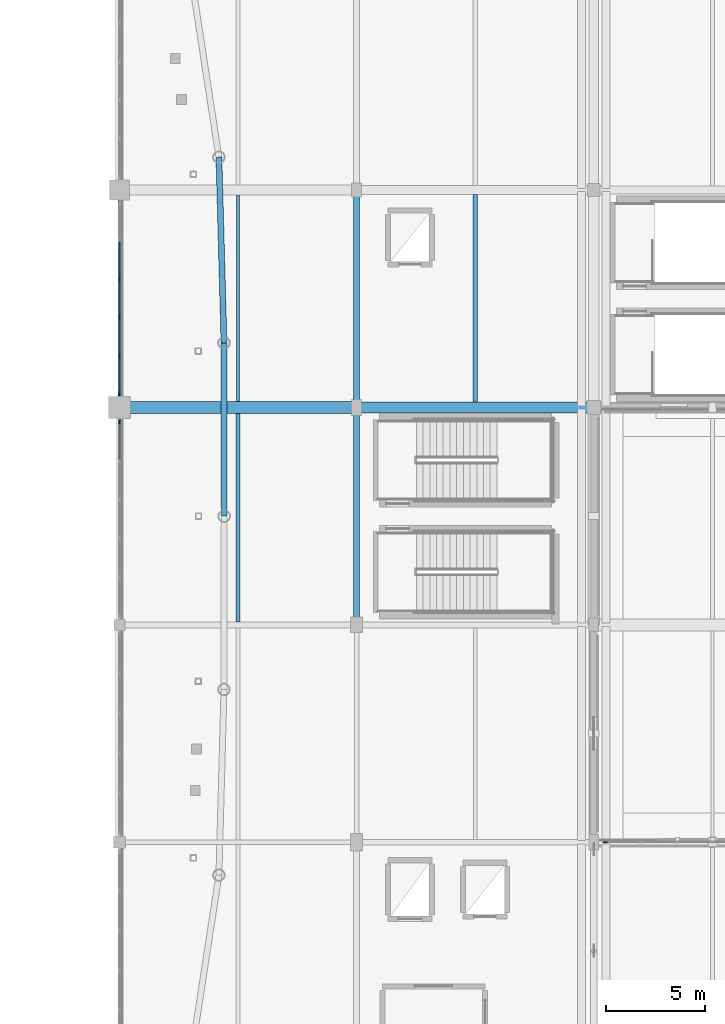
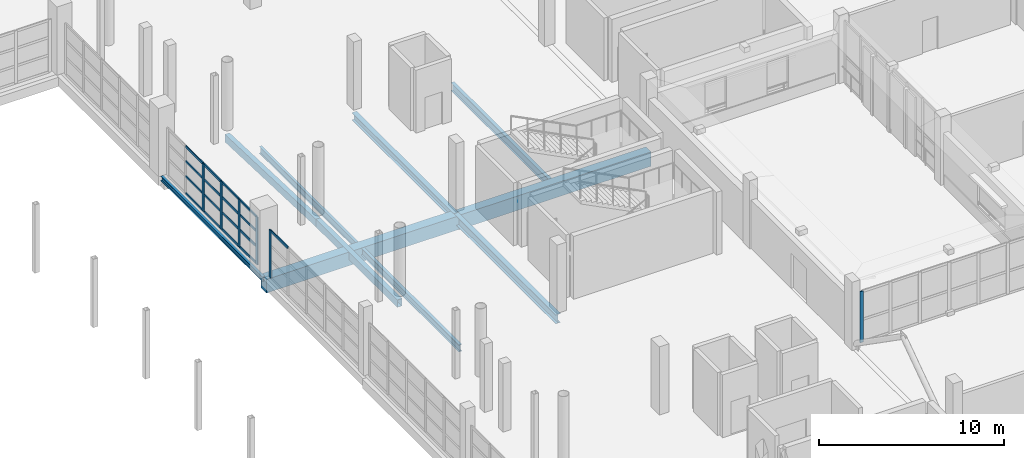
# One storey, part 55 of 118: 23 members, 10 beams, 3 elements without a shape of their own.
"""IFC4 building model written with IfcOpenShell, lengths in metres."""

from ifc_helpers import new_model, si_unit, direction, frame, origin, origin_2d, place, context, subcontext, project, spatial, rectangle, hollow_rectangle, i_section, extrude, material, material_profile, profile_set, type_object, element, aggregate, save


model = new_model("IFC4")

# Units and contexts
model_context = context("Model", 3, precision=1e-05, world=origin(), true_north=direction((0.0, 1.0)))
body_context = subcontext(model_context, "Body", "Model", "MODEL_VIEW")
ifc_project = project(units=[si_unit("LENGTHUNIT", "METRE"), si_unit("AREAUNIT", "SQUARE_METRE"), si_unit("VOLUMEUNIT", "CUBIC_METRE"), si_unit("PLANEANGLEUNIT", "RADIAN"), si_unit("MASSUNIT", "GRAM", prefix="KILO")], contexts=[model_context])

# Site, building, storey
site_placement = place(None, origin())
site = spatial("IfcSite", under=ifc_project, at=site_placement, CompositionType="ELEMENT")
building_placement = place(site_placement, origin())
building = spatial("IfcBuilding", under=site, at=building_placement, Name="Luwafu Chhajja Arena", CompositionType="ELEMENT")
storey_placement = place(building_placement, frame((0.0, 0.0, 10.199951171875)))
storey = spatial("IfcBuildingStorey", under=building, at=storey_placement, Name="L02", CompositionType="ELEMENT", Elevation=10.199951171875)

# Curtain wall, member
ifc_material_1 = material(Name="Anodised bronze aluminium", Category="aluminium")
curtain_wall_type = type_object("IfcCurtainWallType", Name="Hospitality Ring Curtain Wall", PredefinedType="USERDEFINED", material=ifc_material_1)
curtain_wall_1_placement = place(storey_placement, origin())
curtain_wall_1 = element("IfcCurtainWall", 1, at=curtain_wall_1_placement, inside=storey, type_object=curtain_wall_type, Name="L02 Curtain Wall CWG-L02-H14_03", ObjectType="CURTAIN WALL", PredefinedType="USERDEFINED")
ifc_material_profile_1 = material_profile(ifc_material_1, rectangle(XDim=0.06494140625, YDim=0.199951171875, at=origin_2d()), Name="CWM 65x200")
ifc_profile_set_1 = profile_set([ifc_material_profile_1], Name="Anodised bronze aluminium")
member_type_1 = type_object("IfcMemberType", Name="Bronze Curtain Wall Mullion 65x200", PredefinedType="MULLION", material=ifc_profile_set_1)
member_1_placement = place(storey_placement, frame((164.572509765625, 33.0, 0.030029296875), z_axis=(0.0, 0.0, 1.0), x_axis=(0.0, 1.0, 0.0)))
member_1 = element("IfcMember", 2, at=member_1_placement, type_object=member_type_1, Name="CW-02 mullion 1", PredefinedType="MULLION", context=body_context, shape_type="SweptSolid", body=[
    extrude(rectangle(XDim=0.06494140625, YDim=0.199951171875, at=origin_2d()), origin(), (0.0, 0.0, 1.0), 3.375),
])
aggregate(curtain_wall_1, [member_1])

curtain_wall_2_placement = place(storey_placement, origin())
curtain_wall_2 = element("IfcCurtainWall", 3, at=curtain_wall_2_placement, inside=storey, type_object=curtain_wall_type, Name="L02 Bowl Viewing Curtain Wall CWR-L02-22", ObjectType="CURTAIN WALL", PredefinedType="USERDEFINED")
member_2_placement = place(storey_placement, frame((140.0, 54.277587890625, 0.0), z_axis=(0.0, 0.0, 1.0), x_axis=(-1.0, 0.0, 0.0)))
member_2 = element("IfcMember", 4, at=member_2_placement, type_object=member_type_1, Name="CW-02 mullion 6", PredefinedType="MULLION", context=body_context, shape_type="SweptSolid", body=[
    extrude(rectangle(XDim=0.06494140625, YDim=0.199951171875, at=origin_2d()), origin(), (0.0, 0.0, 1.0), 3.14013671875),
])

# Curtain wall, members
curtain_wall_3_placement = place(storey_placement, origin())
curtain_wall_3 = element("IfcCurtainWall", 5, at=curtain_wall_3_placement, inside=storey, type_object=curtain_wall_type, Name="L02 Bowl Viewing Curtain Wall CWR-L02-23", ObjectType="CURTAIN WALL", PredefinedType="USERDEFINED")
member_3_placement = place(storey_placement, frame((140.0, 55.722412109375, 0.0), z_axis=(0.0, 0.0, 1.0), x_axis=(-1.0, 0.0, 0.0)))
member_3 = element("IfcMember", 6, at=member_3_placement, type_object=member_type_1, Name="CW-02 mullion 1", PredefinedType="MULLION", context=body_context, shape_type="SweptSolid", body=[
    extrude(rectangle(XDim=0.06494140625, YDim=0.199951171875, at=origin_2d()), origin(), (0.0, 0.0, 1.0), 3.14013671875),
])
member_4_placement = place(storey_placement, frame((140.0, 57.6240234375, 0.0), z_axis=(0.0, 0.0, 1.0), x_axis=(-1.0, 0.0, 0.0)))
member_4 = element("IfcMember", 7, at=member_4_placement, type_object=member_type_1, Name="CW-02 mullion 2", PredefinedType="MULLION", context=body_context, shape_type="SweptSolid", body=[
    extrude(rectangle(XDim=0.06494140625, YDim=0.199951171875, at=origin_2d()), origin(), (0.0, 0.0, 1.0), 3.14013671875),
])
member_5_placement = place(storey_placement, frame((140.0, 59.55810546875, 0.0), z_axis=(0.0, 0.0, 1.0), x_axis=(-1.0, 0.0, 0.0)))
member_5 = element("IfcMember", 8, at=member_5_placement, type_object=member_type_1, Name="CW-02 mullion 3", PredefinedType="MULLION", context=body_context, shape_type="SweptSolid", body=[
    extrude(rectangle(XDim=0.06494140625, YDim=0.199951171875, at=origin_2d()), origin(), (0.0, 0.0, 1.0), 3.14013671875),
])
member_6_placement = place(storey_placement, frame((140.0, 61.491943359375, 0.0), z_axis=(0.0, 0.0, 1.0), x_axis=(-1.0, 0.0, 0.0)))
member_6 = element("IfcMember", 9, at=member_6_placement, type_object=member_type_1, Name="CW-02 mullion 4", PredefinedType="MULLION", context=body_context, shape_type="SweptSolid", body=[
    extrude(rectangle(XDim=0.06494140625, YDim=0.199951171875, at=origin_2d()), origin(), (0.0, 0.0, 1.0), 3.14013671875),
])

# Member
ifc_material_profile_2 = material_profile(ifc_material_1, rectangle(XDim=0.06494140625, YDim=0.14990234375, at=origin_2d()), Name="CWT 65x150")
ifc_profile_set_2 = profile_set([ifc_material_profile_2], Name="Anodised bronze aluminium")
member_type_2 = type_object("IfcMemberType", Name="Bronze Curtain Wall Transom 65x150", PredefinedType="USERDEFINED", material=ifc_profile_set_2)
member_7_placement = place(storey_placement, frame((140.0, 52.363525390625, 3.107666015625), z_axis=(0.0, 1.0, 0.0), x_axis=(-1.0, 0.0, 0.0)))
member_7 = element("IfcMember", 10, at=member_7_placement, type_object=member_type_2, Name="CW-02 transom 5.4", ObjectType="TRANSOM", PredefinedType="USERDEFINED", context=body_context, shape_type="SweptSolid", body=[
    extrude(rectangle(XDim=0.06494140625, YDim=0.14990234375, at=origin_2d()), origin(), (0.0, 0.0, 1.0), 1.881591796875),
])

aggregate(curtain_wall_2, [member_2, member_7])

member_8_placement = place(storey_placement, frame((140.0, 55.7548828125, 0.032470703125), z_axis=(0.0, 1.0, 0.0), x_axis=(-1.0, 0.0, 0.0)))
member_8 = element("IfcMember", 11, at=member_8_placement, type_object=member_type_2, Name="CW-02 transom 1.1", ObjectType="TRANSOM", PredefinedType="USERDEFINED", context=body_context, shape_type="SweptSolid", body=[
    extrude(rectangle(XDim=0.06494140625, YDim=0.14990234375, at=origin_2d()), origin(), (0.0, 0.0, 1.0), 1.836669921875),
])

member_9_placement = place(storey_placement, frame((140.0, 55.7548828125, 1.150146484375), z_axis=(0.0, 1.0, 0.0), x_axis=(-1.0, 0.0, 0.0)))
member_9 = element("IfcMember", 12, at=member_9_placement, type_object=member_type_2, Name="CW-02 transom 1.2", ObjectType="TRANSOM", PredefinedType="USERDEFINED", context=body_context, shape_type="SweptSolid", body=[
    extrude(rectangle(XDim=0.06494140625, YDim=0.14990234375, at=origin_2d()), origin(), (0.0, 0.0, 1.0), 1.836669921875),
])

member_10_placement = place(storey_placement, frame((140.0, 55.7548828125, 2.14501953125), z_axis=(0.0, 1.0, 0.0), x_axis=(-1.0, 0.0, 0.0)))
member_10 = element("IfcMember", 13, at=member_10_placement, type_object=member_type_2, Name="CW-02 transom 1.3", ObjectType="TRANSOM", PredefinedType="USERDEFINED", context=body_context, shape_type="SweptSolid", body=[
    extrude(rectangle(XDim=0.06494140625, YDim=0.14990234375, at=origin_2d()), origin(), (0.0, 0.0, 1.0), 1.836669921875),
])

member_11_placement = place(storey_placement, frame((140.0, 55.7548828125, 3.107666015625), z_axis=(0.0, 1.0, 0.0), x_axis=(-1.0, 0.0, 0.0)))
member_11 = element("IfcMember", 14, at=member_11_placement, type_object=member_type_2, Name="CW-02 transom 1.4", ObjectType="TRANSOM", PredefinedType="USERDEFINED", context=body_context, shape_type="SweptSolid", body=[
    extrude(rectangle(XDim=0.06494140625, YDim=0.14990234375, at=origin_2d()), origin(), (0.0, 0.0, 1.0), 1.836669921875),
])

member_12_placement = place(storey_placement, frame((140.0, 57.656494140625, 0.032470703125), z_axis=(0.0, 1.0, 0.0), x_axis=(-1.0, 0.0, 0.0)))
member_12 = element("IfcMember", 15, at=member_12_placement, type_object=member_type_2, Name="CW-02 transom 2.1", ObjectType="TRANSOM", PredefinedType="USERDEFINED", context=body_context, shape_type="SweptSolid", body=[
    extrude(rectangle(XDim=0.06494140625, YDim=0.14990234375, at=origin_2d()), origin(), (0.0, 0.0, 1.0), 1.868896484375),
])

member_13_placement = place(storey_placement, frame((140.0, 57.656494140625, 1.150146484375), z_axis=(0.0, 1.0, 0.0), x_axis=(-1.0, 0.0, 0.0)))
member_13 = element("IfcMember", 16, at=member_13_placement, type_object=member_type_2, Name="CW-02 transom 2.2", ObjectType="TRANSOM", PredefinedType="USERDEFINED", context=body_context, shape_type="SweptSolid", body=[
    extrude(rectangle(XDim=0.06494140625, YDim=0.14990234375, at=origin_2d()), origin(), (0.0, 0.0, 1.0), 1.868896484375),
])

member_14_placement = place(storey_placement, frame((140.0, 57.656494140625, 2.14501953125), z_axis=(0.0, 1.0, 0.0), x_axis=(-1.0, 0.0, 0.0)))
member_14 = element("IfcMember", 17, at=member_14_placement, type_object=member_type_2, Name="CW-02 transom 2.3", ObjectType="TRANSOM", PredefinedType="USERDEFINED", context=body_context, shape_type="SweptSolid", body=[
    extrude(rectangle(XDim=0.06494140625, YDim=0.14990234375, at=origin_2d()), origin(), (0.0, 0.0, 1.0), 1.868896484375),
])

member_15_placement = place(storey_placement, frame((140.0, 57.656494140625, 3.107666015625), z_axis=(0.0, 1.0, 0.0), x_axis=(-1.0, 0.0, 0.0)))
member_15 = element("IfcMember", 18, at=member_15_placement, type_object=member_type_2, Name="CW-02 transom 2.4", ObjectType="TRANSOM", PredefinedType="USERDEFINED", context=body_context, shape_type="SweptSolid", body=[
    extrude(rectangle(XDim=0.06494140625, YDim=0.14990234375, at=origin_2d()), origin(), (0.0, 0.0, 1.0), 1.868896484375),
])

member_16_placement = place(storey_placement, frame((140.0, 59.590576171875, 0.032470703125), z_axis=(0.0, 1.0, 0.0), x_axis=(-1.0, 0.0, 0.0)))
member_16 = element("IfcMember", 19, at=member_16_placement, type_object=member_type_2, Name="CW-02 transom 3.1", ObjectType="TRANSOM", PredefinedType="USERDEFINED", context=body_context, shape_type="SweptSolid", body=[
    extrude(rectangle(XDim=0.06494140625, YDim=0.14990234375, at=origin_2d()), origin(), (0.0, 0.0, 1.0), 1.868896484375),
])

member_17_placement = place(storey_placement, frame((140.0, 59.590576171875, 1.150146484375), z_axis=(0.0, 1.0, 0.0), x_axis=(-1.0, 0.0, 0.0)))
member_17 = element("IfcMember", 20, at=member_17_placement, type_object=member_type_2, Name="CW-02 transom 3.2", ObjectType="TRANSOM", PredefinedType="USERDEFINED", context=body_context, shape_type="SweptSolid", body=[
    extrude(rectangle(XDim=0.06494140625, YDim=0.14990234375, at=origin_2d()), origin(), (0.0, 0.0, 1.0), 1.868896484375),
])

member_18_placement = place(storey_placement, frame((140.0, 59.590576171875, 2.14501953125), z_axis=(0.0, 1.0, 0.0), x_axis=(-1.0, 0.0, 0.0)))
member_18 = element("IfcMember", 21, at=member_18_placement, type_object=member_type_2, Name="CW-02 transom 3.3", ObjectType="TRANSOM", PredefinedType="USERDEFINED", context=body_context, shape_type="SweptSolid", body=[
    extrude(rectangle(XDim=0.06494140625, YDim=0.14990234375, at=origin_2d()), origin(), (0.0, 0.0, 1.0), 1.868896484375),
])

member_19_placement = place(storey_placement, frame((140.0, 59.590576171875, 3.107666015625), z_axis=(0.0, 1.0, 0.0), x_axis=(-1.0, 0.0, 0.0)))
member_19 = element("IfcMember", 22, at=member_19_placement, type_object=member_type_2, Name="CW-02 transom 3.4", ObjectType="TRANSOM", PredefinedType="USERDEFINED", context=body_context, shape_type="SweptSolid", body=[
    extrude(rectangle(XDim=0.06494140625, YDim=0.14990234375, at=origin_2d()), origin(), (0.0, 0.0, 1.0), 1.868896484375),
])

member_20_placement = place(storey_placement, frame((140.0, 61.5244140625, 0.032470703125), z_axis=(0.0, 1.0, 0.0), x_axis=(-1.0, 0.0, 0.0)))
member_20 = element("IfcMember", 23, at=member_20_placement, type_object=member_type_2, Name="CW-02 transom 4.1", ObjectType="TRANSOM", PredefinedType="USERDEFINED", context=body_context, shape_type="SweptSolid", body=[
    extrude(rectangle(XDim=0.06494140625, YDim=0.14990234375, at=origin_2d()), origin(), (0.0, 0.0, 1.0), 1.869140625),
])

member_21_placement = place(storey_placement, frame((140.0, 61.5244140625, 1.150146484375), z_axis=(0.0, 1.0, 0.0), x_axis=(-1.0, 0.0, 0.0)))
member_21 = element("IfcMember", 24, at=member_21_placement, type_object=member_type_2, Name="CW-02 transom 4.2", ObjectType="TRANSOM", PredefinedType="USERDEFINED", context=body_context, shape_type="SweptSolid", body=[
    extrude(rectangle(XDim=0.06494140625, YDim=0.14990234375, at=origin_2d()), origin(), (0.0, 0.0, 1.0), 1.869140625),
])

member_22_placement = place(storey_placement, frame((140.0, 61.5244140625, 2.14501953125), z_axis=(0.0, 1.0, 0.0), x_axis=(-1.0, 0.0, 0.0)))
member_22 = element("IfcMember", 25, at=member_22_placement, type_object=member_type_2, Name="CW-02 transom 4.3", ObjectType="TRANSOM", PredefinedType="USERDEFINED", context=body_context, shape_type="SweptSolid", body=[
    extrude(rectangle(XDim=0.06494140625, YDim=0.14990234375, at=origin_2d()), origin(), (0.0, 0.0, 1.0), 1.869140625),
])

member_23_placement = place(storey_placement, frame((140.0, 61.5244140625, 3.107666015625), z_axis=(0.0, 1.0, 0.0), x_axis=(-1.0, 0.0, 0.0)))
member_23 = element("IfcMember", 26, at=member_23_placement, type_object=member_type_2, Name="CW-02 transom 4.4", ObjectType="TRANSOM", PredefinedType="USERDEFINED", context=body_context, shape_type="SweptSolid", body=[
    extrude(rectangle(XDim=0.06494140625, YDim=0.14990234375, at=origin_2d()), origin(), (0.0, 0.0, 1.0), 1.869140625),
])

aggregate(curtain_wall_3, [member_3, member_4, member_5, member_6, member_8, member_9, member_10, member_11, member_12, member_13, member_14, member_15, member_16, member_17, member_18, member_19, member_20, member_21, member_22, member_23])

# Beams
ifc_material_2 = material(Name="Steel S355", Category="steel")
ifc_material_profile_3 = material_profile(ifc_material_2, i_section(OverallWidth=0.165771484375, OverallDepth=0.306640625, WebThickness=0.006591796875, FlangeThickness=0.01171875, at=origin_2d()), Name="UB 305x165x46")
ifc_profile_set_3 = profile_set([ifc_material_profile_3], Name="Steel S355")
beam_type_1 = type_object("IfcBeamType", Name="Concourse Edge Spandrel Beam UB 305x165x46", PredefinedType="SPANDREL", material=ifc_profile_set_3)
beam_1_placement = place(storey_placement, frame((140.0, 55.0, -0.543212890625), z_axis=(0.0, 1.0, 0.0), x_axis=(-1.0, 0.0, 0.0)))
element("IfcBeam", 27, at=beam_1_placement, inside=storey, type_object=beam_type_1, Name="L02 Grid Beam 13/F-G", PredefinedType="SPANDREL", context=body_context, shape_type="SweptSolid", body=[
    extrude(i_section(OverallWidth=0.165771484375, OverallDepth=0.306640625, WebThickness=0.006591796875, FlangeThickness=0.01171875, at=origin_2d()), origin(), (0.0, 0.0, 1.0), 11.0),
])
ifc_material_3 = material(Name="Concrete C35/45", Category="concrete")
ifc_material_profile_4 = material_profile(ifc_material_3, rectangle(XDim=0.60009765625, YDim=0.89990234375, at=origin_2d()), Name="RC 600x900")
ifc_profile_set_4 = profile_set([ifc_material_profile_4], Name="Concrete C35/45")
beam_type_2 = type_object("IfcBeamType", Name="Concourse Primary Girder RC 600x900", PredefinedType="BEAM", material=ifc_profile_set_4)
beam_2_placement = place(storey_placement, frame((140.0, 55.0, -0.83984375), z_axis=(1.0, 0.0, 0.0), x_axis=(0.0, 1.0, 0.0)))
element("IfcBeam", 28, at=beam_2_placement, inside=storey, type_object=beam_type_2, Name="L02 Grid Beam 13-14/F", PredefinedType="BEAM", context=body_context, shape_type="SweptSolid", body=[
    extrude(rectangle(XDim=0.60009765625, YDim=0.89990234375, at=origin_2d()), origin(), (0.0, 0.0, 1.0), 12.0),
])
ifc_material_profile_5 = material_profile(ifc_material_3, rectangle(XDim=0.550048828125, YDim=0.949951171875, at=origin_2d()), Name="RC 550x950")
ifc_profile_set_5 = profile_set([ifc_material_profile_5], Name="Concrete C35/45")
beam_type_3 = type_object("IfcBeamType", Name="Concourse Radial Girder RC 550x950", PredefinedType="BEAM", material=ifc_profile_set_5)
beam_3_placement = place(storey_placement, frame((152.0, 55.0, -0.864990234375), z_axis=(1.0, 0.0, 0.0), x_axis=(0.0, 1.0, 0.0)))
element("IfcBeam", 29, at=beam_3_placement, inside=storey, type_object=beam_type_3, Name="L02 Grid Beam 14-15/F", PredefinedType="BEAM", context=body_context, shape_type="SweptSolid", body=[
    extrude(rectangle(XDim=0.550048828125, YDim=0.949951171875, at=origin_2d()), origin(), (0.0, 0.0, 1.0), 12.0),
])
ifc_material_profile_6 = material_profile(ifc_material_2, i_section(OverallWidth=0.15283203125, OverallDepth=0.45458984375, WebThickness=0.008056640625, FlangeThickness=0.01318359375, at=origin_2d()), Name="UB 457x152x60")
ifc_profile_set_6 = profile_set([ifc_material_profile_6], Name="Steel S355")
beam_type_4 = type_object("IfcBeamType", Name="Floor Joist UB 457x152x60", PredefinedType="JOIST", material=ifc_profile_set_6)
beam_4_placement = place(storey_placement, frame((146.0, 55.300048828125, -0.6171875), z_axis=(0.0, 1.0, 0.0), x_axis=(-1.0, 0.0, 0.0)))
element("IfcBeam", 30, at=beam_4_placement, inside=storey, type_object=beam_type_4, Name="L02 Secondary Joist 13-14/F", PredefinedType="JOIST", context=body_context, shape_type="SweptSolid", body=[
    extrude(i_section(OverallWidth=0.15283203125, OverallDepth=0.45458984375, WebThickness=0.008056640625, FlangeThickness=0.01318359375, at=origin_2d()), origin(), (0.0, 0.0, 1.0), 10.449951171875),
])
ifc_material_profile_7 = material_profile(ifc_material_2, i_section(OverallWidth=0.19140625, OverallDepth=0.4599609375, WebThickness=0.010009765625, FlangeThickness=0.01611328125, at=origin_2d()), Name="UB 457x191x82")
ifc_profile_set_7 = profile_set([ifc_material_profile_7], Name="Steel S355")
beam_type_5 = type_object("IfcBeamType", Name="Floor Joist UB 457x191x82", PredefinedType="JOIST", material=ifc_profile_set_7)
beam_5_placement = place(storey_placement, frame((146.0, 44.14990234375, -0.619873046875), z_axis=(0.0, 1.0, 0.0), x_axis=(-1.0, 0.0, 0.0)))
element("IfcBeam", 31, at=beam_5_placement, inside=storey, type_object=beam_type_5, Name="L02 Secondary Joist 13-14/E", PredefinedType="JOIST", context=body_context, shape_type="SweptSolid", body=[
    extrude(i_section(OverallWidth=0.19140625, OverallDepth=0.4599609375, WebThickness=0.010009765625, FlangeThickness=0.01611328125, at=origin_2d()), origin(), (0.0, 0.0, 1.0), 10.550048828125),
])
ifc_material_profile_8 = material_profile(ifc_material_2, i_section(OverallWidth=0.2099609375, OverallDepth=0.53662109375, WebThickness=0.0107421875, FlangeThickness=0.017333984375, at=origin_2d()), Name="UB 533x210x101")
ifc_profile_set_8 = profile_set([ifc_material_profile_8], Name="Steel S355")
beam_type_6 = type_object("IfcBeamType", Name="Floor Joist UB 533x210x101", PredefinedType="JOIST", material=ifc_profile_set_8)
beam_6_placement = place(storey_placement, frame((158.0, 55.27490234375, -0.658203125), z_axis=(0.0, 1.0, 0.0), x_axis=(-1.0, 0.0, 0.0)))
element("IfcBeam", 32, at=beam_6_placement, inside=storey, type_object=beam_type_6, Name="L02 Secondary Joist 14-15/F", PredefinedType="JOIST", context=body_context, shape_type="SweptSolid", body=[
    extrude(i_section(OverallWidth=0.2099609375, OverallDepth=0.53662109375, WebThickness=0.0107421875, FlangeThickness=0.017333984375, at=origin_2d()), origin(), (0.0, 0.0, 1.0), 10.5),
])
ifc_material_profile_9 = material_profile(ifc_material_2, hollow_rectangle(XDim=0.300048828125, YDim=0.5, WallThickness=0.02001953125, at=origin_2d()), Name="RHS 500x300x20")
ifc_profile_set_9 = profile_set([ifc_material_profile_9], Name="Steel S355")
beam_type_7 = type_object("IfcBeamType", Name="Pleated Drum Spandrel Beam RHS 500x300", PredefinedType="SPANDREL", material=ifc_profile_set_9)
beam_7_placement = place(storey_placement, frame((145.300048828125, 49.5, -0.639892578125), z_axis=(-0.001419780869, 0.999998992111, 0.0), x_axis=(-0.999998992111, -0.001419780869, 0.0)))
element("IfcBeam", 33, at=beam_7_placement, inside=storey, type_object=beam_type_7, Name="L02 Drum Ring Spandrel D01-D02", PredefinedType="SPANDREL", context=body_context, shape_type="SweptSolid", body=[
    extrude(hollow_rectangle(XDim=0.300048828125, YDim=0.5, WallThickness=0.02001953125, at=origin_2d()), origin(), (0.0, 0.0, 1.0), 8.769775390625),
])
beam_8_placement = place(storey_placement, frame((145.28759765625, 58.269775390625, -0.639892578125), z_axis=(-0.02720805866, 0.999629792245, 0.0), x_axis=(-0.999629792245, -0.02720805866, 0.0)))
element("IfcBeam", 34, at=beam_8_placement, inside=storey, type_object=beam_type_7, Name="L02 Drum Ring Spandrel D02-D03", PredefinedType="SPANDREL", context=body_context, shape_type="SweptSolid", body=[
    extrude(hollow_rectangle(XDim=0.300048828125, YDim=0.5, WallThickness=0.02001953125, at=origin_2d()), origin(), (0.0, 0.0, 1.0), 9.394775390625),
])
ifc_material_profile_10 = material_profile(ifc_material_2, i_section(OverallWidth=0.300048828125, OverallDepth=0.5, WebThickness=0.014404296875, FlangeThickness=0.028076171875, at=origin_2d()), Name="HEB 500")
ifc_profile_set_10 = profile_set([ifc_material_profile_10], Name="Steel S355")
beam_type_8 = type_object("IfcBeamType", Name="Steel Atrium Tie Girder HEB 500", PredefinedType="BEAM", material=ifc_profile_set_10)
beam_9_placement = place(storey_placement, frame((152.0, 55.0, -0.639892578125), z_axis=(0.0, 1.0, 0.0), x_axis=(-1.0, 0.0, 0.0)))
element("IfcBeam", 35, at=beam_9_placement, inside=storey, type_object=beam_type_8, Name="L02 Grid Beam 14/F-G", PredefinedType="BEAM", context=body_context, shape_type="SweptSolid", body=[
    extrude(i_section(OverallWidth=0.300048828125, OverallDepth=0.5, WebThickness=0.014404296875, FlangeThickness=0.028076171875, at=origin_2d()), origin(), (0.0, 0.0, 1.0), 11.0),
])
ifc_material_profile_11 = material_profile(ifc_material_2, i_section(OverallWidth=0.300048828125, OverallDepth=0.60009765625, WebThickness=0.015380859375, FlangeThickness=0.030029296875, at=origin_2d()), Name="HEB 600")
ifc_profile_set_11 = profile_set([ifc_material_profile_11], Name="Steel S355")
beam_type_9 = type_object("IfcBeamType", Name="Steel Gallery Girder HEB 600", PredefinedType="BEAM", material=ifc_profile_set_11)
beam_10_placement = place(storey_placement, frame((152.0, 44.0, -0.68994140625), z_axis=(0.0, 1.0, 0.0), x_axis=(-1.0, 0.0, 0.0)))
element("IfcBeam", 36, at=beam_10_placement, inside=storey, type_object=beam_type_9, Name="L02 Grid Beam 14/E-F", PredefinedType="BEAM", context=body_context, shape_type="SweptSolid", body=[
    extrude(i_section(OverallWidth=0.300048828125, OverallDepth=0.60009765625, WebThickness=0.015380859375, FlangeThickness=0.030029296875, at=origin_2d()), origin(), (0.0, 0.0, 1.0), 11.0),
])

save(model, "model.ifc")
